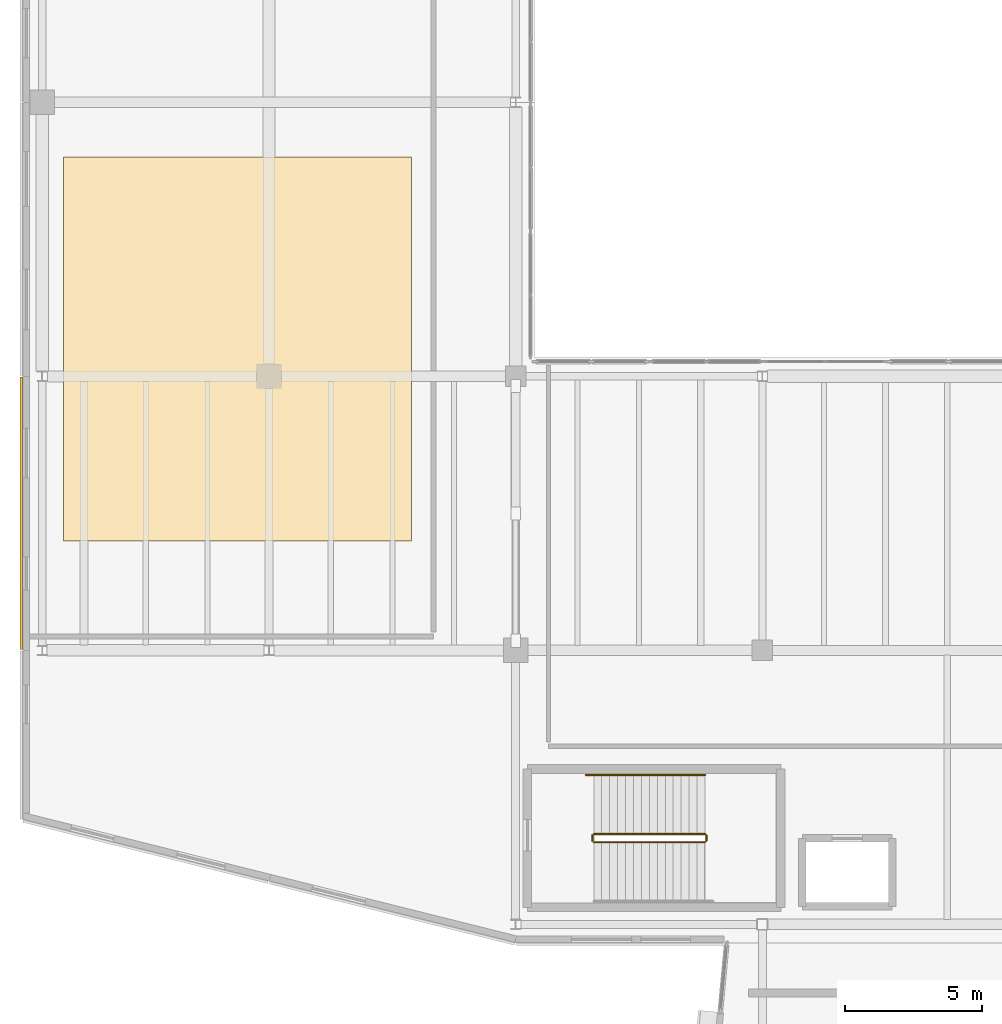
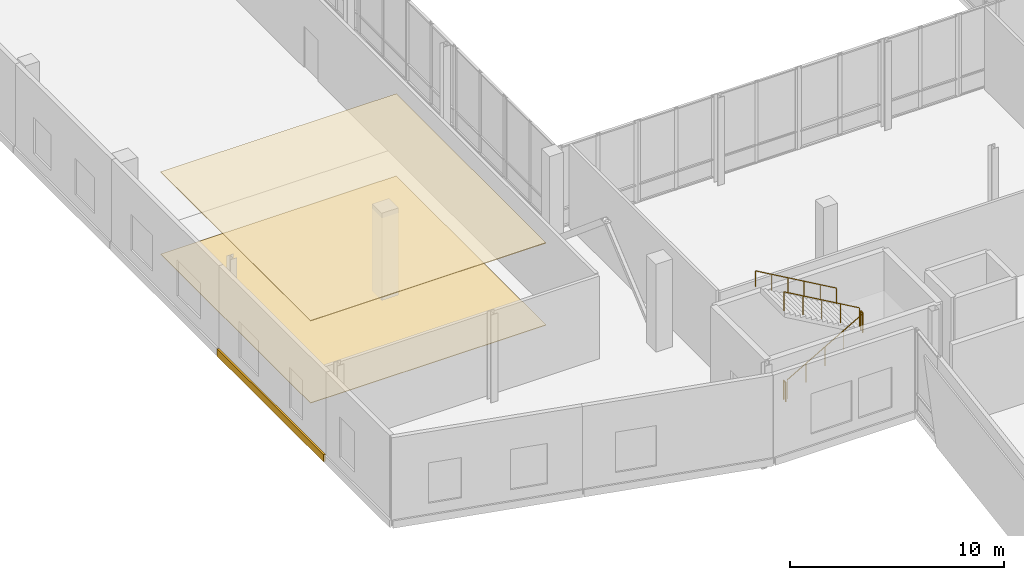
# One storey, part 63 of 73: 5 railings, 3 coverings.
"""IFC4 building model written with IfcOpenShell, lengths in metres."""

from ifc_helpers import new_model, si_unit, direction, frame, origin, origin_2d, place, context, subcontext, project, spatial, polyline, rectangle, circle, outline, extrude, material, layer, layer_set, type_object, element, save


model = new_model("IFC4")

# Units and contexts
model_context = context("Model", 3, precision=1e-05, world=origin(), true_north=direction((0.0, 1.0)))
body_context = subcontext(model_context, "Body", "Model", "MODEL_VIEW")
ifc_project = project(units=[si_unit("LENGTHUNIT", "METRE"), si_unit("AREAUNIT", "SQUARE_METRE"), si_unit("VOLUMEUNIT", "CUBIC_METRE"), si_unit("PLANEANGLEUNIT", "RADIAN"), si_unit("MASSUNIT", "GRAM", prefix="KILO")], contexts=[model_context])

# Site, building, storey
site_placement = place(None, origin())
site = spatial("IfcSite", under=ifc_project, at=site_placement, CompositionType="ELEMENT")
building_placement = place(site_placement, origin())
building = spatial("IfcBuilding", under=site, at=building_placement, Name="Trimount Lyric Opera House", CompositionType="ELEMENT")
storey_placement = place(building_placement, frame((0.0, 0.0, 10.0)))
storey = spatial("IfcBuildingStorey", under=building, at=storey_placement, Name="L02", CompositionType="ELEMENT", Elevation=10.0)

# Coverings
ifc_material_1 = material(Name="Micro-Perforated White Oak Acoustic Ceiling")
ifc_layer_1 = layer(ifc_material_1, 0.0400390625)
ifc_layer_set_1 = layer_set([ifc_layer_1], Name="CEIL-AC1")
covering_type_1 = type_object("IfcCoveringType", Name="CEIL-AC1", PredefinedType="CEILING", material=ifc_layer_set_1)
covering_1_placement = place(storey_placement, frame((0.0, 0.0, 4.679931640625)))
element("IfcCovering", 1, at=covering_1_placement, inside=storey, type_object=covering_type_1, Name="Chorus Rehearsal Hall acoustic ceiling", PredefinedType="CEILING", context=body_context, shape_type="SweptSolid", body=[
    extrude(outline(polyline([(1.5, 68.0), (14.199951171875, 68.0), (14.199951171875, 82.0), (1.5, 82.0), (1.5, 68.0)])), origin(), (0.0, 0.0, 1.0), 0.0400390625),
])
ifc_material_2 = material(Name="Architectural Precast Concrete Spandrel Band", Category="concrete")
ifc_layer_2 = layer(ifc_material_2, 0.094970703125)
ifc_layer_set_2 = layer_set([ifc_layer_2], Name="CLD-WING1")
covering_type_2 = type_object("IfcCoveringType", Name="CLD-WING1", PredefinedType="CLADDING", material=ifc_layer_set_2)
covering_2_placement = place(storey_placement, frame((-0.04150390625, 69.0, -0.369873046875), z_axis=(0.0, 0.0, 1.0), x_axis=(0.0, 1.0, 0.0)))
element("IfcCovering", 2, at=covering_2_placement, inside=storey, type_object=covering_type_2, Name="L02 precast slab-edge spandrel 198", PredefinedType="CLADDING", context=body_context, shape_type="SweptSolid", body=[
    extrude(rectangle(XDim=9.93994140625, YDim=0.094970703125, at=origin_2d()), origin(), (0.0, 0.0, 1.0), 0.419921875),
])
ifc_material_3 = material(Name="Sprung European Oak Stage and Rehearsal Flooring")
ifc_layer_3 = layer(ifc_material_3, 0.028076171875)
ifc_layer_set_3 = layer_set([ifc_layer_3], Name="FLR-OAK1")
covering_type_3 = type_object("IfcCoveringType", Name="FLR-OAK1", PredefinedType="FLOORING", material=ifc_layer_set_3)
covering_3_placement = place(storey_placement, origin())
element("IfcCovering", 3, at=covering_3_placement, inside=storey, type_object=covering_type_3, Name="Chorus Rehearsal Hall finish flooring", PredefinedType="FLOORING", context=body_context, shape_type="SweptSolid", body=[
    extrude(outline(polyline([(1.5, 68.0), (14.199951171875, 68.0), (14.199951171875, 82.0), (1.5, 82.0), (1.5, 68.0)])), origin(), (0.0, 0.0, 1.0), 0.028076171875),
])

# Railings
ifc_material_4 = material(Name="Brushed Stainless Steel 316", Category="steel")
railing_type_1 = type_object("IfcRailingType", Name="RL-GRD110", PredefinedType="GUARDRAIL", material=ifc_material_4)
railing_1_placement = place(storey_placement, frame((20.85009765625, 57.0, 0.166748046875)))
element("IfcRailing", 4, at=railing_1_placement, inside=storey, type_object=railing_type_1, Name="L02 ST-06 stair guard 1", PredefinedType="GUARDRAIL", context=body_context, shape_type="SweptSolid", body=[
    extrude(circle(Radius=0.02392578125, at=origin_2d()), frame((0.0, 0.0, 1.076171875), z_axis=(0.86701161382, 0.0, 0.498287930319), x_axis=(0.0, 1.0, 0.0)), (0.0, 0.0, 1.0), 4.6826171875),
    extrude(circle(Radius=0.02099609375, at=origin_2d()), origin(), (0.0, 0.0, 1.0), 1.052001953125),
    extrude(circle(Radius=0.02099609375, at=origin_2d()), frame((1.014892578125, 0.0, 0.583251953125)), (0.0, 0.0, 1.0), 1.052001953125),
    extrude(circle(Radius=0.02099609375, at=origin_2d()), frame((2.02978515625, 0.0, 1.16650390625)), (0.0, 0.0, 1.0), 1.052001953125),
    extrude(circle(Radius=0.02099609375, at=origin_2d()), frame((3.044921875, 0.0, 1.75)), (0.0, 0.0, 1.0), 1.052001953125),
    extrude(circle(Radius=0.02099609375, at=origin_2d()), frame((4.059814453125, 0.0, 2.333251953125)), (0.0, 0.0, 1.0), 1.052001953125),
])
railing_2_placement = place(storey_placement, frame((24.9599609375, 57.050048828125, 2.5)))
element("IfcRailing", 5, at=railing_2_placement, inside=storey, type_object=railing_type_1, Name="L02 ST-06 stair guard 2", PredefinedType="GUARDRAIL", context=body_context, shape_type="SweptSolid", body=[
    extrude(circle(Radius=0.02392578125, at=origin_2d()), frame((0.0, 0.0, 1.076171875), z_axis=(0.0, 1.0, 0.0), x_axis=(-1.0, 0.0, 0.0)), (0.0, 0.0, 1.0), 0.199951171875),
    extrude(circle(Radius=0.02099609375, at=origin_2d()), origin(), (0.0, 0.0, 1.0), 1.052001953125),
    extrude(circle(Radius=0.02099609375, at=origin_2d()), frame((0.0, 0.199951171875, 0.0)), (0.0, 0.0, 1.0), 1.052001953125),
])
railing_3_placement = place(storey_placement, frame((24.909912109375, 57.300048828125, 2.666748046875)))
element("IfcRailing", 6, at=railing_3_placement, inside=storey, type_object=railing_type_1, Name="L02 ST-06 stair guard 3", PredefinedType="GUARDRAIL", context=body_context, shape_type="SweptSolid", body=[
    extrude(circle(Radius=0.02392578125, at=origin_2d()), frame((0.0, 0.0, 1.076171875), z_axis=(-0.86701161382, 0.0, 0.498287930319), x_axis=(0.0, -1.0, 0.0)), (0.0, 0.0, 1.0), 4.6826171875),
    extrude(circle(Radius=0.02099609375, at=origin_2d()), origin(), (0.0, 0.0, 1.0), 1.052001953125),
    extrude(circle(Radius=0.02099609375, at=origin_2d()), frame((-1.014892578125, 0.0, 0.583251953125)), (0.0, 0.0, 1.0), 1.052001953125),
    extrude(circle(Radius=0.02099609375, at=origin_2d()), frame((-2.02978515625, 0.0, 1.16650390625)), (0.0, 0.0, 1.0), 1.052001953125),
    extrude(circle(Radius=0.02099609375, at=origin_2d()), frame((-3.044921875, 0.0, 1.75)), (0.0, 0.0, 1.0), 1.052001953125),
    extrude(circle(Radius=0.02099609375, at=origin_2d()), frame((-4.059814453125, 0.0, 2.333251953125)), (0.0, 0.0, 1.0), 1.052001953125),
])
railing_4_placement = place(storey_placement, frame((20.800048828125, 57.050048828125, 0.0)))
element("IfcRailing", 7, at=railing_4_placement, inside=storey, type_object=railing_type_1, Name="L02 ST-06 stair guard 4", PredefinedType="GUARDRAIL", context=body_context, shape_type="SweptSolid", body=[
    extrude(circle(Radius=0.02392578125, at=origin_2d()), frame((0.0, 0.0, 1.076171875), z_axis=(0.0, 1.0, 0.0), x_axis=(-1.0, 0.0, 0.0)), (0.0, 0.0, 1.0), 0.199951171875),
    extrude(circle(Radius=0.02099609375, at=origin_2d()), origin(), (0.0, 0.0, 1.0), 1.052001953125),
    extrude(circle(Radius=0.02099609375, at=origin_2d()), frame((0.0, 0.199951171875, 0.0)), (0.0, 0.0, 1.0), 1.052001953125),
])
ifc_material_5 = material(Name="Brushed Stainless Steel 316", Category="steel")
railing_type_2 = type_object("IfcRailingType", Name="RL-HND092", PredefinedType="HANDRAIL", material=ifc_material_5)
railing_5_placement = place(storey_placement, frame((24.909912109375, 59.449951171875, 2.666748046875)))
element("IfcRailing", 8, at=railing_5_placement, inside=storey, type_object=railing_type_2, Name="L02 ST-06 stair handrail 2", PredefinedType="HANDRAIL", context=body_context, shape_type="SweptSolid", body=[
    extrude(circle(Radius=0.0224609375, at=origin_2d()), frame((0.0, 0.0, 0.8974609375), z_axis=(-0.866754379005, 0.0, 0.498735246875), x_axis=(0.0, -1.0, 0.0)), (0.0, 0.0, 1.0), 5.0185546875),
    extrude(circle(Radius=0.02099609375, at=origin_2d()), origin(), (0.0, 0.0, 1.0), 0.875),
    extrude(circle(Radius=0.02099609375, at=origin_2d()), frame((-0.869873046875, 0.0, 0.50048828125)), (0.0, 0.0, 1.0), 0.875),
    extrude(circle(Radius=0.02099609375, at=origin_2d()), frame((-1.739990234375, 0.0, 1.001220703125)), (0.0, 0.0, 1.0), 0.875),
    extrude(circle(Radius=0.02099609375, at=origin_2d()), frame((-2.60986328125, 0.0, 1.501708984375)), (0.0, 0.0, 1.0), 0.875),
    extrude(circle(Radius=0.02099609375, at=origin_2d()), frame((-3.47998046875, 0.0, 2.00244140625)), (0.0, 0.0, 1.0), 0.875),
    extrude(circle(Radius=0.02099609375, at=origin_2d()), frame((-4.349853515625, 0.0, 2.5029296875)), (0.0, 0.0, 1.0), 0.875),
])

save(model, "model.ifc")
